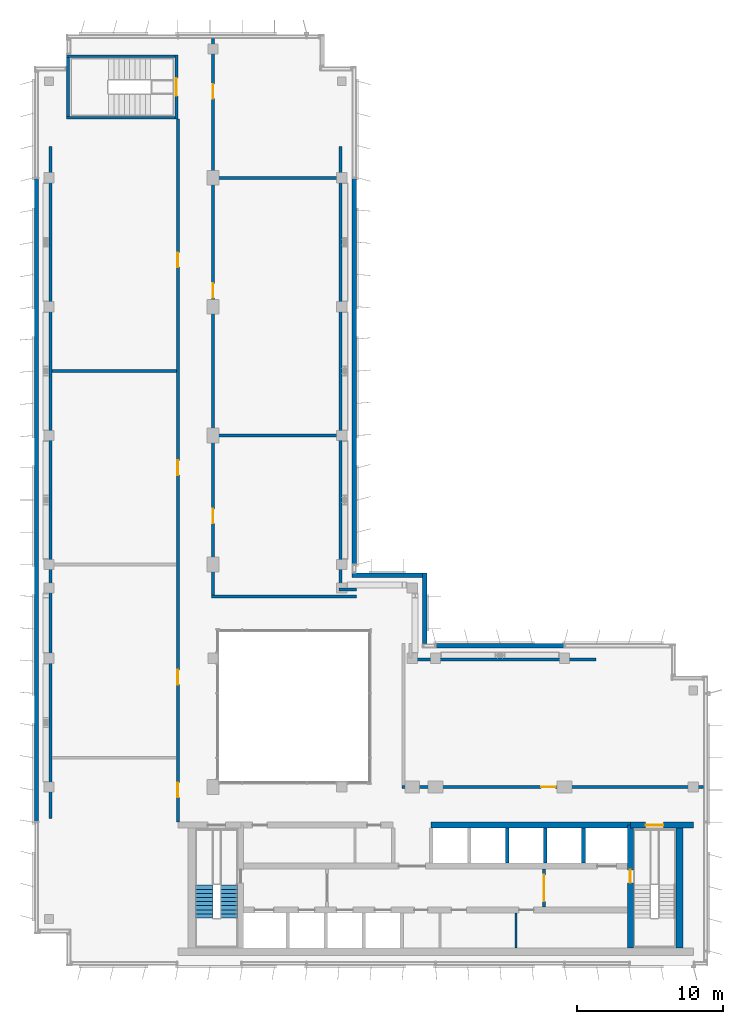
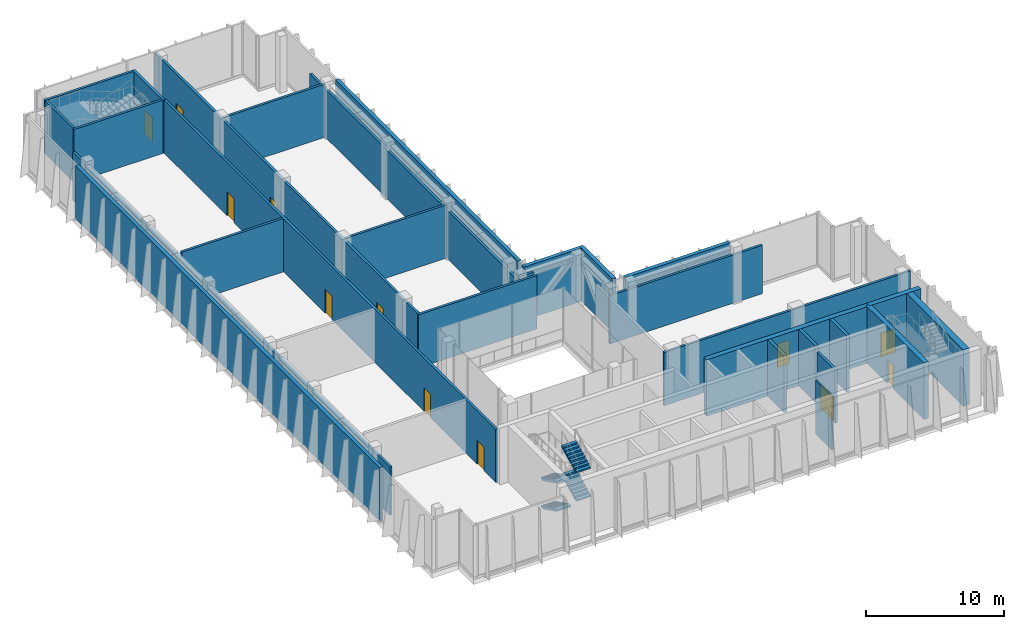
# One storey, part 9 of 14: 29 walls, 12 doors, 4 stair flights, 12 openings, 1 element without a shape of its own.
"""IFC4 building model written with IfcOpenShell, lengths in metres."""

from ifc_helpers import new_model, si_unit, direction, frame, frame_2d, origin, place, context, subcontext, project, spatial, polyline, rectangle, outline, extrude, material, layer, layer_set, type_object, element, fill, aggregate, save


model = new_model("IFC4")

# Units and contexts
model_context = context("Model", 3, precision=1e-05, world=origin(), true_north=direction((0.0, 1.0)))
body_context = subcontext(model_context, "Body", "Model", "MODEL_VIEW")
ifc_project = project(units=[si_unit("LENGTHUNIT", "METRE"), si_unit("AREAUNIT", "SQUARE_METRE"), si_unit("VOLUMEUNIT", "CUBIC_METRE"), si_unit("PLANEANGLEUNIT", "RADIAN"), si_unit("MASSUNIT", "GRAM", prefix="KILO")], contexts=[model_context])

# Site, building, storey
site_placement = place(None, origin())
site = spatial("IfcSite", under=ifc_project, at=site_placement, CompositionType="ELEMENT")
building_placement = place(site_placement, origin())
building = spatial("IfcBuilding", under=site, at=building_placement, Name="Kemantara Hotel Tower", CompositionType="ELEMENT")
storey_placement = place(building_placement, frame((0.0, 0.0, 309.199951171875)))
storey = spatial("IfcBuildingStorey", under=building, at=storey_placement, Name="L78", CompositionType="ELEMENT", Elevation=309.199951171875)

# Walls
ifc_material_1 = material(Name="Bronze anodised aluminium cladding on insulated steel stud wall", Category="steel")
ifc_layer_1 = layer(ifc_material_1, 0.300048828125)
ifc_layer_set_1 = layer_set([ifc_layer_1], Name="Bronze anodised aluminium cladding on insulated steel stud wall")
wall_type_1 = type_object("IfcWallType", Name="BRONZE METAL-CLAD EXTERNAL WALL 300", PredefinedType="STANDARD", material=ifc_layer_set_1)
wall_1_placement = place(storey_placement, frame((0.14990234375, 53.800048828125, 0.0), z_axis=(0.0, 0.0, 1.0), x_axis=(0.0, -1.0, 0.0)))
element("IfcWall", 1, at=wall_1_placement, inside=storey, type_object=wall_type_1, Name="EXTERNAL WALL L78 CRN-R05.S0", PredefinedType="STANDARD", context=body_context, shape_type="SweptSolid", body=[
    extrude(rectangle(XDim=44.0, YDim=0.300048828125, at=frame_2d((22.0, 0.0))), origin(), (0.0, 0.0, 1.0), 4.699951171875),
])
wall_2_placement = place(storey_placement, frame((36.199951171875, 21.85009765625, 0.0), z_axis=(0.0, 0.0, 1.0), x_axis=(-1.0, 0.0, 0.0)))
element("IfcWall", 2, at=wall_2_placement, inside=storey, type_object=wall_type_1, Name="EXTERNAL WALL L78 CRN-R12.S0", PredefinedType="STANDARD", context=body_context, shape_type="SweptSolid", body=[
    extrude(rectangle(XDim=8.800048828125, YDim=0.300048828125, at=frame_2d((4.39990234375, 0.0))), origin(), (0.0, 0.0, 1.0), 4.699951171875),
])
for number, where, z_axis, x_axis, name in (
    (3, (26.64990234375, 22.0, 0.0), (0.0, 0.0, 1.0), (0.0, 1.0, 0.0), "EXTERNAL WALL L78 CRN-R13.S0"),
    (4, (26.5, 26.64990234375, 0.0), (0.0, 0.0, 1.0), (-1.0, 0.0, 0.0), "EXTERNAL WALL L78 CRN-R14.S0"),
):
    element("IfcWall", number, at=place(storey_placement, frame(where, z_axis=z_axis, x_axis=x_axis)), inside=storey, type_object=wall_type_1, Name=name, PredefinedType="STANDARD", context=body_context, shape_type="SweptSolid", body=[
        extrude(rectangle(XDim=4.800048828125, YDim=0.300048828125, at=frame_2d((2.39990234375, 0.0))), origin(), (0.0, 0.0, 1.0), 4.699951171875),
    ])
wall_3_placement = place(storey_placement, frame((21.85009765625, 27.39990234375, 0.0), z_axis=(0.0, 0.0, 1.0), x_axis=(0.0, 1.0, 0.0)))
element("IfcWall", 5, at=wall_3_placement, inside=storey, type_object=wall_type_1, Name="EXTERNAL WALL L78 CRN-R15.S0", PredefinedType="STANDARD", context=body_context, shape_type="SweptSolid", body=[
    extrude(rectangle(XDim=26.400146484375, YDim=0.300048828125, at=frame_2d((13.2001953125, 0.0))), origin(), (0.0, 0.0, 1.0), 4.699951171875),
])
ifc_material_2 = material(Name="Concrete fc 50 MPa", Category="concrete")
ifc_layer_2 = layer(ifc_material_2, 0.25)
ifc_layer_set_2 = layer_set([ifc_layer_2], Name="Concrete fc 50 MPa")
wall_type_2 = type_object("IfcWallType", Name="CORE WALL 250 FC50", PredefinedType="SHEAR", material=ifc_layer_set_2)
for number, where, z_axis, x_axis, name in (
    (6, (32.300048828125, 7.0, 0.0), (0.0, 0.0, 1.0), (0.0, 1.0, 0.0), "CORE WALL CW-DN32.3"),
    (7, (34.89990234375, 7.0, 0.0), (0.0, 0.0, 1.0), (0.0, 1.0, 0.0), "CORE WALL CW-DN34.9"),
    (8, (37.5, 7.0, 0.0), (0.0, 0.0, 1.0), (0.0, 1.0, 0.0), "CORE WALL CW-DN37.5"),
):
    element("IfcWall", number, at=place(storey_placement, frame(where, z_axis=z_axis, x_axis=x_axis)), inside=storey, type_object=wall_type_2, Name=name, PredefinedType="SHEAR", context=body_context, shape_type="SweptSolid", body=[
        extrude(rectangle(XDim=2.39990234375, YDim=0.25, at=frame_2d((1.199951171875, 0.0))), origin(), (0.0, 0.0, 1.0), 5.0),
    ])

# Wall, opening, door
ifc_layer_3 = layer(ifc_material_2, 0.39990234375)
ifc_layer_set_3 = layer_set([ifc_layer_3], Name="Concrete fc 50 MPa")
wall_type_3 = type_object("IfcWallType", Name="CORE WALL 400 FC50", PredefinedType="SHEAR", material=ifc_layer_set_3)
wall_4_placement = place(storey_placement, frame((40.699951171875, 9.60009765625, 0.0), z_axis=(0.0, 0.0, 1.0), x_axis=(1.0, 0.0, 0.0)))
wall_4 = element("IfcWall", 9, at=wall_4_placement, inside=storey, type_object=wall_type_3, Name="CORE WALL CW-N2", PredefinedType="SHEAR", context=body_context, shape_type="SweptSolid", body=[
    extrude(rectangle(XDim=4.300048828125, YDim=0.39990234375, at=frame_2d((2.14990234375, 0.0))), origin(), (0.0, 0.0, 1.0), 5.0),
])
opening_1_placement = place(wall_4_placement, frame((1.050048828125, 0.0, 0.0)))
opening_1 = element("IfcOpeningElement", 10, at=opening_1_placement, cuts=wall_4, Name="Opening C44-ST2-C", PredefinedType="OPENING", context=body_context, shape_type="SweptSolid", body=[
    extrude(rectangle(XDim=1.199951171875, YDim=2.10009765625, at=frame_2d((0.60009765625, 1.050048828125))), frame((0.0, 0.2099609375, 0.0), z_axis=(0.0, -1.0, 0.0), x_axis=(1.0, 0.0, 0.0)), (0.0, 0.0, 1.0), 0.419921875),
])
ifc_material_3 = material(Name="Steel fire door", Category="steel")
door_type_1 = type_object("IfcDoorType", Name="Fire door FD90 1200 x 2100", OperationType="NOTDEFINED", PredefinedType="DOOR", material=ifc_material_3)
door_1_placement = place(opening_1_placement, frame((1.199951171875, 0.0, 0.0), z_axis=(0.0, 0.0, 1.0), x_axis=(-1.0, 0.0, 0.0)))
door_1 = element("IfcDoor", 11, at=door_1_placement, inside=storey, type_object=door_type_1, Name="Stair ST2 door to corridor", OperationType="SINGLE_SWING_RIGHT", OverallHeight=2.10009765625, OverallWidth=1.199951171875, PredefinedType="DOOR", context=body_context, shape_type="SweptSolid", body=[
    extrude(rectangle(XDim=1.199951171875, YDim=2.10009765625, at=frame_2d((0.60009765625, 1.050048828125))), frame((0.0, 0.02490234375, 0.0), z_axis=(0.0, -1.0, 0.0), x_axis=(1.0, 0.0, 0.0)), (0.0, 0.0, 1.0), 0.050048828125),
])
fill(opening_1, door_1)

# Wall
wall_5_placement = place(storey_placement, frame((27.10009765625, 9.60009765625, 0.0), z_axis=(0.0, 0.0, 1.0), x_axis=(1.0, 0.0, 0.0)))
element("IfcWall", 12, at=wall_5_placement, inside=storey, type_object=wall_type_3, Name="CORE WALL CW-NN2", PredefinedType="SHEAR", context=body_context, shape_type="SweptSolid", body=[
    extrude(rectangle(XDim=13.599853515625, YDim=0.39990234375, at=frame_2d((6.7998046875, 0.0))), origin(), (0.0, 0.0, 1.0), 5.0),
])

# Wall, opening, door
wall_6_placement = place(storey_placement, frame((40.699951171875, 1.199951171875, 0.0), z_axis=(0.0, 0.0, 1.0), x_axis=(0.0, 1.0, 0.0)))
wall_6 = element("IfcWall", 13, at=wall_6_placement, inside=storey, type_object=wall_type_3, Name="CORE WALL CW-ST2W", PredefinedType="SHEAR", context=body_context, shape_type="SweptSolid", body=[
    extrude(rectangle(XDim=8.400146484375, YDim=0.39990234375, at=frame_2d((4.2001953125, 0.0))), origin(), (0.0, 0.0, 1.0), 5.0),
])
opening_2_placement = place(wall_6_placement, frame((4.449951171875, 0.0, 0.0)))
opening_2 = element("IfcOpeningElement", 14, at=opening_2_placement, cuts=wall_6, Name="Opening C44-ST2-F", PredefinedType="OPENING", context=body_context, shape_type="SweptSolid", body=[
    extrude(rectangle(XDim=0.89990234375, YDim=2.10009765625, at=frame_2d((0.449951171875, 1.050048828125))), frame((0.0, 0.2099609375, 0.0), z_axis=(0.0, -1.0, 0.0), x_axis=(1.0, 0.0, 0.0)), (0.0, 0.0, 1.0), 0.419921875),
])
door_type_2 = type_object("IfcDoorType", Name="Fire door FD90 900 x 2100", OperationType="NOTDEFINED", PredefinedType="DOOR", material=ifc_material_3)
door_2_placement = place(opening_2_placement, frame((0.89990234375, 0.0, 0.0), z_axis=(0.0, 0.0, 1.0), x_axis=(-1.0, 0.0, 0.0)))
door_2 = element("IfcDoor", 15, at=door_2_placement, inside=storey, type_object=door_type_2, Name="Stair ST2 door to firefighting lobby", OperationType="SINGLE_SWING_LEFT", OverallHeight=2.10009765625, OverallWidth=0.89990234375, PredefinedType="DOOR", context=body_context, shape_type="SweptSolid", body=[
    extrude(rectangle(XDim=0.89990234375, YDim=2.10009765625, at=frame_2d((0.449951171875, 1.050048828125))), frame((0.0, 0.02490234375, 0.0), z_axis=(0.0, -1.0, 0.0), x_axis=(1.0, 0.0, 0.0)), (0.0, 0.0, 1.0), 0.050048828125),
])
fill(opening_2, door_2)

# Wall
ifc_layer_4 = layer(ifc_material_2, 0.5)
ifc_layer_set_4 = layer_set([ifc_layer_4], Name="Concrete fc 50 MPa")
wall_type_4 = type_object("IfcWallType", Name="CORE WALL 500 FC50", PredefinedType="SHEAR", material=ifc_layer_set_4)
wall_7_placement = place(storey_placement, frame((44.050048828125, 1.199951171875, 0.0), z_axis=(0.0, 0.0, 1.0), x_axis=(0.0, 1.0, 0.0)))
element("IfcWall", 16, at=wall_7_placement, inside=storey, type_object=wall_type_4, Name="CORE WALL CW-E", PredefinedType="SHEAR", context=body_context, shape_type="SweptSolid", body=[
    extrude(rectangle(XDim=8.60009765625, YDim=0.5, at=frame_2d((4.300048828125, 0.0))), origin(), (0.0, 0.0, 1.0), 5.0),
])

# Wall, opening, door
ifc_material_4 = material(Name="Concrete fc 40 MPa", Category="concrete")
ifc_layer_5 = layer(ifc_material_4, 0.199951171875)
ifc_layer_set_5 = layer_set([ifc_layer_5], Name="Concrete fc 40 MPa")
wall_type_5 = type_object("IfcWallType", Name="Concrete stair wall 200 mm", PredefinedType="SHEAR", material=ifc_layer_set_5)
wall_8_placement = place(storey_placement, frame((9.699951171875, 57.800048828125, 0.0), z_axis=(0.0, 0.0, 1.0), x_axis=(0.0, 1.0, 0.0)))
wall_8 = element("IfcWall", 17, at=wall_8_placement, inside=storey, type_object=wall_type_5, Name="Stair ST4 enclosure wall with door", PredefinedType="SHEAR", context=body_context, shape_type="SweptSolid", body=[
    extrude(rectangle(XDim=4.39990234375, YDim=0.199951171875, at=frame_2d((2.199951171875, 0.0))), origin(), (0.0, 0.0, 1.0), 4.699951171875),
])
opening_3_placement = place(wall_8_placement, frame((1.60009765625, 0.0, 0.0)))
opening_3 = element("IfcOpeningElement", 18, at=opening_3_placement, cuts=wall_8, Name="Opening ST4-C", PredefinedType="OPENING", context=body_context, shape_type="SweptSolid", body=[
    extrude(rectangle(XDim=1.199951171875, YDim=2.10009765625, at=frame_2d((0.60009765625, 1.050048828125))), frame((0.0, 0.10986328125, 0.0), z_axis=(0.0, -1.0, 0.0), x_axis=(1.0, 0.0, 0.0)), (0.0, 0.0, 1.0), 0.219970703125),
])
door_3_placement = place(opening_3_placement, origin())
door_3 = element("IfcDoor", 19, at=door_3_placement, inside=storey, type_object=door_type_1, Name="Stair ST4 door", OperationType="SINGLE_SWING_RIGHT", OverallHeight=2.10009765625, OverallWidth=1.199951171875, PredefinedType="DOOR", context=body_context, shape_type="SweptSolid", body=[
    extrude(rectangle(XDim=1.199951171875, YDim=2.10009765625, at=frame_2d((0.60009765625, 1.050048828125))), frame((0.0, 0.02490234375, 0.0), z_axis=(0.0, -1.0, 0.0), x_axis=(1.0, 0.0, 0.0)), (0.0, 0.0, 1.0), 0.050048828125),
])
fill(opening_3, door_3)

# Walls
for number, where, z_axis, x_axis, name in (
    (20, (2.199951171875, 62.10009765625, 0.0), (0.0, 0.0, 1.0), (1.0, 0.0, 0.0), "Stair ST4 enclosure wall N"),
    (21, (2.199951171875, 57.89990234375, 0.0), (0.0, 0.0, 1.0), (1.0, 0.0, 0.0), "Stair ST4 enclosure wall S"),
):
    element("IfcWall", number, at=place(storey_placement, frame(where, z_axis=z_axis, x_axis=x_axis)), inside=storey, type_object=wall_type_5, Name=name, PredefinedType="SHEAR", context=body_context, shape_type="SweptSolid", body=[
        extrude(rectangle(XDim=7.400146484375, YDim=0.199951171875, at=frame_2d((3.7001953125, 0.0))), origin(), (0.0, 0.0, 1.0), 4.699951171875),
    ])
wall_9_placement = place(storey_placement, frame((2.300048828125, 58.0, 0.0), z_axis=(0.0, 0.0, 1.0), x_axis=(0.0, 1.0, 0.0)))
element("IfcWall", 22, at=wall_9_placement, inside=storey, type_object=wall_type_5, Name="Stair ST4 enclosure wall W", PredefinedType="SHEAR", context=body_context, shape_type="SweptSolid", body=[
    extrude(rectangle(XDim=4.0, YDim=0.199951171875, at=frame_2d((2.0, 0.0))), origin(), (0.0, 0.0, 1.0), 4.699951171875),
])
ifc_material_5 = material(Name="Clay brick masonry", Category="masonry")
ifc_layer_6 = layer(ifc_material_5, 0.199951171875)
ifc_layer_set_6 = layer_set([ifc_layer_6], Name="Clay brick masonry")
wall_type_6 = type_object("IfcWallType", Name="FIRE-RATED CLAY BRICK WALL 200 EI 120", PredefinedType="PARTITIONING", material=ifc_layer_set_6)
for number, where, z_axis, x_axis, name in (
    (23, (12.300048828125, 36.199951171875, 0.0), (0.0, 0.0, 1.0), (1.0, 0.0, 0.0), "FIRE WALL"),
    (24, (12.300048828125, 53.800048828125, 0.0), (0.0, 0.0, 1.0), (1.0, 0.0, 0.0), "FIRE WALL"),
    (25, (1.199951171875, 40.60009765625, 0.0), (0.0, 0.0, 1.0), (1.0, 0.0, 0.0), "FIRE WALL"),
):
    element("IfcWall", number, at=place(storey_placement, frame(where, z_axis=z_axis, x_axis=x_axis)), inside=storey, type_object=wall_type_6, Name=name, PredefinedType="PARTITIONING", context=body_context, shape_type="SweptSolid", body=[
        extrude(rectangle(XDim=8.5, YDim=0.199951171875, at=frame_2d((4.25, 0.0))), origin(), (0.0, 0.0, 1.0), 4.699951171875),
    ])
wall_10_placement = place(storey_placement, frame((25.60009765625, 20.89990234375, 0.0), z_axis=(0.0, 0.0, 1.0), x_axis=(1.0, 0.0, 0.0)))
element("IfcWall", 26, at=wall_10_placement, inside=storey, type_object=wall_type_6, Name="FIRE WALL", PredefinedType="PARTITIONING", context=body_context, shape_type="SweptSolid", body=[
    extrude(rectangle(XDim=12.745361328125, YDim=0.199951171875, at=frame_2d((6.37255859375, 0.0))), origin(), (0.0, 0.0, 1.0), 4.26611328125),
])
wall_11_placement = place(storey_placement, frame((20.800048828125, 25.699951171875, 0.0), z_axis=(0.0, 0.0, 1.0), x_axis=(1.0, 0.0, 0.0)))
element("IfcWall", 27, at=wall_11_placement, inside=storey, type_object=wall_type_6, Name="FIRE WALL", PredefinedType="PARTITIONING", context=body_context, shape_type="SweptSolid", body=[
    extrude(rectangle(XDim=1.199951171875, YDim=0.199951171875, at=frame_2d((0.60009765625, 0.0))), origin(), (0.0, 0.0, 1.0), 4.699951171875),
])
wall_12_placement = place(storey_placement, frame((20.89990234375, 25.800048828125, 0.0), z_axis=(0.0, 0.0, 1.0), x_axis=(0.0, 1.0, 0.0)))
element("IfcWall", 28, at=wall_12_placement, inside=storey, type_object=wall_type_6, Name="FIRE WALL", PredefinedType="PARTITIONING", context=body_context, shape_type="SweptSolid", body=[
    extrude(rectangle(XDim=30.145263671875, YDim=0.199951171875, at=frame_2d((15.07275390625, 0.0))), origin(), (0.0, 0.0, 1.0), 4.26611328125),
])
wall_13_placement = place(storey_placement, frame((1.10009765625, 10.0546875, 0.0), z_axis=(0.0, 0.0, 1.0), x_axis=(0.0, 1.0, 0.0)))
element("IfcWall", 29, at=wall_13_placement, inside=storey, type_object=wall_type_6, Name="FIRE WALL", PredefinedType="PARTITIONING", context=body_context, shape_type="SweptSolid", body=[
    extrude(rectangle(XDim=45.890625, YDim=0.199951171875, at=frame_2d((22.9453125, 0.0))), origin(), (0.0, 0.0, 1.0), 4.26611328125),
])
ifc_material_6 = material(Name="Fire-rated gypsum board partition")
ifc_layer_7 = layer(ifc_material_6, 0.199951171875)
ifc_layer_set_7 = layer_set([ifc_layer_7], Name="Fire-rated gypsum board partition")
wall_type_7 = type_object("IfcWallType", Name="FIRE-RATED GYPSUM PARTITION 200 EI 60", PredefinedType="PARTITIONING", material=ifc_layer_set_7)
wall_14_placement = place(storey_placement, frame((12.10009765625, 25.199951171875, 0.0), z_axis=(0.0, 0.0, 1.0), x_axis=(1.0, 0.0, 0.0)))
element("IfcWall", 30, at=wall_14_placement, inside=storey, type_object=wall_type_7, Name="FIRE-RATED PARTITION", PredefinedType="PARTITIONING", context=body_context, shape_type="SweptSolid", body=[
    extrude(rectangle(XDim=9.89990234375, YDim=0.199951171875, at=frame_2d((4.949951171875, 0.0))), origin(), (0.0, 0.0, 1.0), 4.699951171875),
])

# Wall, opening, door
wall_15_placement = place(storey_placement, frame((25.10009765625, 12.199951171875, 0.0), z_axis=(0.0, 0.0, 1.0), x_axis=(1.0, 0.0, 0.0)))
wall_15 = element("IfcWall", 31, at=wall_15_placement, inside=storey, type_object=wall_type_7, Name="FIRE-RATED PARTITION", PredefinedType="PARTITIONING", context=body_context, shape_type="SweptSolid", body=[
    extrude(rectangle(XDim=20.599853515625, YDim=0.199951171875, at=frame_2d((10.2998046875, 0.0))), origin(), (0.0, 0.0, 1.0), 4.699951171875),
])
opening_4_placement = place(wall_15_placement, frame((9.5, 0.0, 0.0)))
opening_4 = element("IfcOpeningElement", 32, at=opening_4_placement, cuts=wall_15, Name="Opening L78-B001", PredefinedType="OPENING", context=body_context, shape_type="SweptSolid", body=[
    extrude(rectangle(XDim=1.0, YDim=2.10009765625, at=frame_2d((0.5, 1.050048828125))), frame((0.0, 0.10986328125, 0.0), z_axis=(0.0, -1.0, 0.0), x_axis=(1.0, 0.0, 0.0)), (0.0, 0.0, 1.0), 0.219970703125),
])
ifc_material_7 = material(Name="Galvanised steel door leaf", Category="steel")
door_type_3 = type_object("IfcDoorType", Name="FIRE-RATED STEEL DOOR 1000 X 2100", OperationType="SINGLE_SWING_LEFT", PredefinedType="DOOR", material=ifc_material_7)
door_4_placement = place(opening_4_placement, frame((1.0, 0.0, 0.0), z_axis=(0.0, 0.0, 1.0), x_axis=(-1.0, 0.0, 0.0)))
door_4 = element("IfcDoor", 33, at=door_4_placement, inside=storey, type_object=door_type_3, Name="FIRE-RATED STEEL DOOR", OperationType="SINGLE_SWING_RIGHT", OverallHeight=2.10009765625, OverallWidth=1.0, PredefinedType="DOOR", context=body_context, shape_type="SweptSolid", body=[
    extrude(rectangle(XDim=1.0, YDim=2.10009765625, at=frame_2d((0.5, 1.050048828125))), frame((0.0, 0.02490234375, 0.0), z_axis=(0.0, -1.0, 0.0), x_axis=(1.0, 0.0, 0.0)), (0.0, 0.0, 1.0), 0.050048828125),
])
fill(opening_4, door_4)

# Wall, openings, doors
wall_16_placement = place(storey_placement, frame((9.800048828125, 9.800048828125, 0.0), z_axis=(0.0, 0.0, 1.0), x_axis=(0.0, 1.0, 0.0)))
wall_16 = element("IfcWall", 34, at=wall_16_placement, inside=storey, type_object=wall_type_7, Name="FIRE-RATED PARTITION", PredefinedType="PARTITIONING", context=body_context, shape_type="SweptSolid", body=[
    extrude(rectangle(XDim=48.0, YDim=0.199951171875, at=frame_2d((24.0, 0.0))), origin(), (0.0, 0.0, 1.0), 4.699951171875),
])
opening_5_placement = place(wall_16_placement, frame((1.699951171875, 0.0, 0.0)))
opening_5 = element("IfcOpeningElement", 35, at=opening_5_placement, cuts=wall_16, Name="Opening L78-B005", PredefinedType="OPENING", context=body_context, shape_type="SweptSolid", body=[
    extrude(rectangle(XDim=1.0, YDim=2.10009765625, at=frame_2d((0.5, 1.050048828125))), frame((0.0, 0.10986328125, 0.0), z_axis=(0.0, -1.0, 0.0), x_axis=(1.0, 0.0, 0.0)), (0.0, 0.0, 1.0), 0.219970703125),
])
opening_6_placement = place(wall_16_placement, frame((9.39990234375, 0.0, 0.0)))
opening_6 = element("IfcOpeningElement", 36, at=opening_6_placement, cuts=wall_16, Name="Opening L78-B006", PredefinedType="OPENING", context=body_context, shape_type="SweptSolid", body=[
    extrude(rectangle(XDim=1.0, YDim=2.10009765625, at=frame_2d((0.5, 1.050048828125))), frame((0.0, 0.10986328125, 0.0), z_axis=(0.0, -1.0, 0.0), x_axis=(1.0, 0.0, 0.0)), (0.0, 0.0, 1.0), 0.219970703125),
])
opening_7_placement = place(wall_16_placement, frame((23.699951171875, 0.0, 0.0)))
opening_7 = element("IfcOpeningElement", 37, at=opening_7_placement, cuts=wall_16, Name="Opening L78-B007", PredefinedType="OPENING", context=body_context, shape_type="SweptSolid", body=[
    extrude(rectangle(XDim=1.0, YDim=2.10009765625, at=frame_2d((0.5, 1.050048828125))), frame((0.0, 0.10986328125, 0.0), z_axis=(0.0, -1.0, 0.0), x_axis=(1.0, 0.0, 0.0)), (0.0, 0.0, 1.0), 0.219970703125),
])
opening_8_placement = place(wall_16_placement, frame((37.89990234375, 0.0, 0.0)))
opening_8 = element("IfcOpeningElement", 38, at=opening_8_placement, cuts=wall_16, Name="Opening L78-B008", PredefinedType="OPENING", context=body_context, shape_type="SweptSolid", body=[
    extrude(rectangle(XDim=1.0, YDim=2.10009765625, at=frame_2d((0.5, 1.050048828125))), frame((0.0, 0.10986328125, 0.0), z_axis=(0.0, -1.0, 0.0), x_axis=(1.0, 0.0, 0.0)), (0.0, 0.0, 1.0), 0.219970703125),
])
door_5_placement = place(opening_5_placement, frame((1.0, 0.0, 0.0), z_axis=(0.0, 0.0, 1.0), x_axis=(-1.0, 0.0, 0.0)))
door_5 = element("IfcDoor", 39, at=door_5_placement, inside=storey, type_object=door_type_3, Name="FIRE-RATED STEEL DOOR", OperationType="SINGLE_SWING_RIGHT", OverallHeight=2.10009765625, OverallWidth=1.0, PredefinedType="DOOR", context=body_context, shape_type="SweptSolid", body=[
    extrude(rectangle(XDim=1.0, YDim=2.10009765625, at=frame_2d((0.5, 1.050048828125))), frame((0.0, 0.02490234375, 0.0), z_axis=(0.0, -1.0, 0.0), x_axis=(1.0, 0.0, 0.0)), (0.0, 0.0, 1.0), 0.050048828125),
])
fill(opening_5, door_5)
door_6_placement = place(opening_6_placement, frame((1.0, 0.0, 0.0), z_axis=(0.0, 0.0, 1.0), x_axis=(-1.0, 0.0, 0.0)))
door_6 = element("IfcDoor", 40, at=door_6_placement, inside=storey, type_object=door_type_3, Name="FIRE-RATED STEEL DOOR", OperationType="SINGLE_SWING_RIGHT", OverallHeight=2.10009765625, OverallWidth=1.0, PredefinedType="DOOR", context=body_context, shape_type="SweptSolid", body=[
    extrude(rectangle(XDim=1.0, YDim=2.10009765625, at=frame_2d((0.5, 1.050048828125))), frame((0.0, 0.02490234375, 0.0), z_axis=(0.0, -1.0, 0.0), x_axis=(1.0, 0.0, 0.0)), (0.0, 0.0, 1.0), 0.050048828125),
])
fill(opening_6, door_6)
door_7_placement = place(opening_7_placement, frame((1.0, 0.0, 0.0), z_axis=(0.0, 0.0, 1.0), x_axis=(-1.0, 0.0, 0.0)))
door_7 = element("IfcDoor", 41, at=door_7_placement, inside=storey, type_object=door_type_3, Name="FIRE-RATED STEEL DOOR", OperationType="SINGLE_SWING_LEFT", OverallHeight=2.10009765625, OverallWidth=1.0, PredefinedType="DOOR", context=body_context, shape_type="SweptSolid", body=[
    extrude(rectangle(XDim=1.0, YDim=2.10009765625, at=frame_2d((0.5, 1.050048828125))), frame((0.0, 0.02490234375, 0.0), z_axis=(0.0, -1.0, 0.0), x_axis=(1.0, 0.0, 0.0)), (0.0, 0.0, 1.0), 0.050048828125),
])
fill(opening_7, door_7)
door_8_placement = place(opening_8_placement, frame((1.0, 0.0, 0.0), z_axis=(0.0, 0.0, 1.0), x_axis=(-1.0, 0.0, 0.0)))
door_8 = element("IfcDoor", 42, at=door_8_placement, inside=storey, type_object=door_type_3, Name="FIRE-RATED STEEL DOOR", OperationType="SINGLE_SWING_LEFT", OverallHeight=2.10009765625, OverallWidth=1.0, PredefinedType="DOOR", context=body_context, shape_type="SweptSolid", body=[
    extrude(rectangle(XDim=1.0, YDim=2.10009765625, at=frame_2d((0.5, 1.050048828125))), frame((0.0, 0.02490234375, 0.0), z_axis=(0.0, -1.0, 0.0), x_axis=(1.0, 0.0, 0.0)), (0.0, 0.0, 1.0), 0.050048828125),
])
fill(opening_8, door_8)

wall_17_placement = place(storey_placement, frame((12.199951171875, 25.300048828125, 0.0), z_axis=(0.0, 0.0, 1.0), x_axis=(0.0, 1.0, 0.0)))
wall_17 = element("IfcWall", 43, at=wall_17_placement, inside=storey, type_object=wall_type_7, Name="FIRE-RATED PARTITION", PredefinedType="PARTITIONING", context=body_context, shape_type="SweptSolid", body=[
    extrude(rectangle(XDim=38.0, YDim=0.199951171875, at=frame_2d((19.0, 0.0))), origin(), (0.0, 0.0, 1.0), 4.699951171875),
])
opening_9_placement = place(wall_17_placement, frame((4.89990234375, 0.0, 0.0)))
opening_9 = element("IfcOpeningElement", 44, at=opening_9_placement, cuts=wall_17, Name="Opening L78-B002", PredefinedType="OPENING", context=body_context, shape_type="SweptSolid", body=[
    extrude(rectangle(XDim=1.0, YDim=2.10009765625, at=frame_2d((0.5, 1.050048828125))), frame((0.0, 0.10986328125, 0.0), z_axis=(0.0, -1.0, 0.0), x_axis=(1.0, 0.0, 0.0)), (0.0, 0.0, 1.0), 0.219970703125),
])
opening_10_placement = place(wall_17_placement, frame((20.300048828125, 0.0, 0.0)))
opening_10 = element("IfcOpeningElement", 45, at=opening_10_placement, cuts=wall_17, Name="Opening L78-B003", PredefinedType="OPENING", context=body_context, shape_type="SweptSolid", body=[
    extrude(rectangle(XDim=1.0, YDim=2.10009765625, at=frame_2d((0.5, 1.050048828125))), frame((0.0, 0.10986328125, 0.0), z_axis=(0.0, -1.0, 0.0), x_axis=(1.0, 0.0, 0.0)), (0.0, 0.0, 1.0), 0.219970703125),
])
opening_11_placement = place(wall_17_placement, frame((33.89990234375, 0.0, 0.0)))
opening_11 = element("IfcOpeningElement", 46, at=opening_11_placement, cuts=wall_17, Name="Opening L78-B004", PredefinedType="OPENING", context=body_context, shape_type="SweptSolid", body=[
    extrude(rectangle(XDim=1.0, YDim=2.10009765625, at=frame_2d((0.5, 1.050048828125))), frame((0.0, 0.10986328125, 0.0), z_axis=(0.0, -1.0, 0.0), x_axis=(1.0, 0.0, 0.0)), (0.0, 0.0, 1.0), 0.219970703125),
])
door_9_placement = place(opening_9_placement, origin())
door_9 = element("IfcDoor", 47, at=door_9_placement, inside=storey, type_object=door_type_3, Name="FIRE-RATED STEEL DOOR", OperationType="SINGLE_SWING_LEFT", OverallHeight=2.10009765625, OverallWidth=1.0, PredefinedType="DOOR", context=body_context, shape_type="SweptSolid", body=[
    extrude(rectangle(XDim=1.0, YDim=2.10009765625, at=frame_2d((0.5, 1.050048828125))), frame((0.0, 0.02490234375, 0.0), z_axis=(0.0, -1.0, 0.0), x_axis=(1.0, 0.0, 0.0)), (0.0, 0.0, 1.0), 0.050048828125),
])
fill(opening_9, door_9)
door_10_placement = place(opening_10_placement, origin())
door_10 = element("IfcDoor", 48, at=door_10_placement, inside=storey, type_object=door_type_3, Name="FIRE-RATED STEEL DOOR", OperationType="SINGLE_SWING_RIGHT", OverallHeight=2.10009765625, OverallWidth=1.0, PredefinedType="DOOR", context=body_context, shape_type="SweptSolid", body=[
    extrude(rectangle(XDim=1.0, YDim=2.10009765625, at=frame_2d((0.5, 1.050048828125))), frame((0.0, 0.02490234375, 0.0), z_axis=(0.0, -1.0, 0.0), x_axis=(1.0, 0.0, 0.0)), (0.0, 0.0, 1.0), 0.050048828125),
])
fill(opening_10, door_10)
door_11_placement = place(opening_11_placement, origin())
door_11 = element("IfcDoor", 49, at=door_11_placement, inside=storey, type_object=door_type_3, Name="FIRE-RATED STEEL DOOR", OperationType="SINGLE_SWING_RIGHT", OverallHeight=2.10009765625, OverallWidth=1.0, PredefinedType="DOOR", context=body_context, shape_type="SweptSolid", body=[
    extrude(rectangle(XDim=1.0, YDim=2.10009765625, at=frame_2d((0.5, 1.050048828125))), frame((0.0, 0.02490234375, 0.0), z_axis=(0.0, -1.0, 0.0), x_axis=(1.0, 0.0, 0.0)), (0.0, 0.0, 1.0), 0.050048828125),
])
fill(opening_11, door_11)

# Wall
ifc_material_8 = material(Name="Gypsum board partition")
ifc_layer_8 = layer(ifc_material_8, 0.14990234375)
ifc_layer_set_8 = layer_set([ifc_layer_8], Name="Gypsum board partition")
wall_type_8 = type_object("IfcWallType", Name="Gypsum board partition 150 mm", PredefinedType="PARTITIONING", material=ifc_layer_set_8)
wall_18_placement = place(storey_placement, frame((32.89990234375, 1.199951171875, 0.0), z_axis=(0.0, 0.0, 1.0), x_axis=(0.0, 1.0, 0.0)))
element("IfcWall", 50, at=wall_18_placement, inside=storey, type_object=wall_type_8, Name="Core room partition", PredefinedType="PARTITIONING", context=body_context, shape_type="SweptSolid", body=[
    extrude(rectangle(XDim=2.400146484375, YDim=0.14990234375, at=frame_2d((1.2001953125, 0.0))), origin(), (0.0, 0.0, 1.0), 4.699951171875),
])

# Wall, opening, door
ifc_material_9 = material(Name="Gypsum board shaft wall")
ifc_layer_9 = layer(ifc_material_9, 0.199951171875)
ifc_layer_set_9 = layer_set([ifc_layer_9], Name="Gypsum board shaft wall")
wall_type_9 = type_object("IfcWallType", Name="Gypsum board shaft wall 200 mm", PredefinedType="PARTITIONING", material=ifc_layer_set_9)
wall_19_placement = place(storey_placement, frame((34.800048828125, 4.0, 0.0), z_axis=(0.0, 0.0, 1.0), x_axis=(0.0, 1.0, 0.0)))
wall_19 = element("IfcWall", 51, at=wall_19_placement, inside=storey, type_object=wall_type_9, Name="Firefighting lobby partition east", PredefinedType="PARTITIONING", context=body_context, shape_type="SweptSolid", body=[
    extrude(rectangle(XDim=2.60009765625, YDim=0.199951171875, at=frame_2d((1.300048828125, 0.0))), origin(), (0.0, 0.0, 1.0), 4.699951171875),
])
opening_12_placement = place(wall_19_placement, frame((0.39990234375, 0.0, 0.0)))
opening_12 = element("IfcOpeningElement", 52, at=opening_12_placement, cuts=wall_19, Name="Opening C44-FFE", PredefinedType="OPENING", context=body_context, shape_type="SweptSolid", body=[
    extrude(rectangle(XDim=1.800048828125, YDim=2.10009765625, at=frame_2d((0.89990234375, 1.050048828125))), frame((0.0, 0.10986328125, 0.0), z_axis=(0.0, -1.0, 0.0), x_axis=(1.0, 0.0, 0.0)), (0.0, 0.0, 1.0), 0.219970703125),
])
door_type_4 = type_object("IfcDoorType", Name="Fire door pair FD60 1800 x 2100", OperationType="DOUBLE_DOOR_SINGLE_SWING", PredefinedType="DOOR", material=ifc_material_3)
door_12_placement = place(opening_12_placement, frame((1.800048828125, 0.0, 0.0), z_axis=(0.0, 0.0, 1.0), x_axis=(-1.0, 0.0, 0.0)))
door_12 = element("IfcDoor", 53, at=door_12_placement, inside=storey, type_object=door_type_4, Name="Firefighting lobby door east", OperationType="DOUBLE_DOOR_SINGLE_SWING", OverallHeight=2.10009765625, OverallWidth=1.800048828125, PredefinedType="DOOR", context=body_context, shape_type="SweptSolid", body=[
    extrude(rectangle(XDim=1.800048828125, YDim=2.10009765625, at=frame_2d((0.89990234375, 1.050048828125))), frame((0.0, 0.02490234375, 0.0), z_axis=(0.0, -1.0, 0.0), x_axis=(1.0, 0.0, 0.0)), (0.0, 0.0, 1.0), 0.050048828125),
])
fill(opening_12, door_12)

# Stair, stair flights
stair_type = type_object("IfcStairType", Name="Stair 1200 wide 36 risers of 139 x 280 mm", PredefinedType="HALF_TURN_STAIR", material=ifc_material_4)
stair_placement = place(storey_placement, origin())
stair = element("IfcStair", 54, at=stair_placement, inside=storey, type_object=stair_type, Name="L78 Exit stair ST1", PredefinedType="HALF_TURN_STAIR")
stair_flight_type = type_object("IfcStairFlightType", Name="Stair flight 1200 wide 139 x 280 mm", PredefinedType="STRAIGHT", material=ifc_material_4)
stair_flight_1_placement = place(storey_placement, frame((11.60009765625, 5.5, 0.0), z_axis=(0.0, 0.0, 1.0), x_axis=(0.0, -1.0, 0.0)))
stair_flight_1 = element("IfcStairFlight", 55, at=stair_flight_1_placement, type_object=stair_flight_type, Name="ST1 flight 1", NumberOfRisers=9, NumberOfTreads=8, PredefinedType="STRAIGHT", RiserHeight=0.138888889, TreadLength=0.28, context=body_context, shape_type="SweptSolid", body=[
    extrude(outline(polyline([(0.0, 0.0), (0.0, 0.138916015625), (0.280029296875, 0.138916015625), (0.280029296875, 0.27783203125), (0.56005859375, 0.27783203125), (0.56005859375, 0.416748046875), (0.840087890625, 0.416748046875), (0.840087890625, 0.5556640625), (1.1201171875, 0.5556640625), (1.1201171875, 0.6943359375), (1.39990234375, 0.6943359375), (1.39990234375, 0.833251953125), (1.679931640625, 0.833251953125), (1.679931640625, 0.97216796875), (1.9599609375, 0.97216796875), (1.9599609375, 1.111083984375), (2.239990234375, 1.111083984375), (2.239990234375, 1.25), (2.239990234375, 0.94384765625), (0.33740234375, 0.0), (0.0, 0.0)])), frame((0.0, 0.60009765625, 0.0), z_axis=(0.0, -1.0, 0.0), x_axis=(1.0, 0.0, 0.0)), (0.0, 0.0, 1.0), 1.199951171875),
])
stair_flight_2_placement = place(storey_placement, frame((13.300048828125, 3.260009765625, 1.25), z_axis=(0.0, 0.0, 1.0), x_axis=(0.0, 1.0, 0.0)))
stair_flight_2 = element("IfcStairFlight", 56, at=stair_flight_2_placement, type_object=stair_flight_type, Name="ST1 flight 2", NumberOfRisers=9, NumberOfTreads=8, PredefinedType="STRAIGHT", RiserHeight=0.138888889, TreadLength=0.28, context=body_context, shape_type="SweptSolid", body=[
    extrude(outline(polyline([(0.0, 0.0), (0.0, 0.138916015625), (0.280029296875, 0.138916015625), (0.280029296875, 0.27783203125), (0.56005859375, 0.27783203125), (0.56005859375, 0.416748046875), (0.840087890625, 0.416748046875), (0.840087890625, 0.5556640625), (1.1201171875, 0.5556640625), (1.1201171875, 0.6943359375), (1.39990234375, 0.6943359375), (1.39990234375, 0.833251953125), (1.679931640625, 0.833251953125), (1.679931640625, 0.97216796875), (1.9599609375, 0.97216796875), (1.9599609375, 1.111083984375), (2.239990234375, 1.111083984375), (2.239990234375, 1.25), (2.239990234375, 0.94384765625), (0.33740234375, 0.0), (0.0, 0.0)])), frame((0.0, 0.60009765625, 0.0), z_axis=(0.0, -1.0, 0.0), x_axis=(1.0, 0.0, 0.0)), (0.0, 0.0, 1.0), 1.199951171875),
])
stair_flight_3_placement = place(storey_placement, frame((11.60009765625, 5.5, 2.5), z_axis=(0.0, 0.0, 1.0), x_axis=(0.0, -1.0, 0.0)))
stair_flight_3 = element("IfcStairFlight", 57, at=stair_flight_3_placement, type_object=stair_flight_type, Name="ST1 flight 3", NumberOfRisers=9, NumberOfTreads=8, PredefinedType="STRAIGHT", RiserHeight=0.138888889, TreadLength=0.28, context=body_context, shape_type="SweptSolid", body=[
    extrude(outline(polyline([(0.0, 0.0), (0.0, 0.138916015625), (0.280029296875, 0.138916015625), (0.280029296875, 0.27783203125), (0.56005859375, 0.27783203125), (0.56005859375, 0.416748046875), (0.840087890625, 0.416748046875), (0.840087890625, 0.5556640625), (1.1201171875, 0.5556640625), (1.1201171875, 0.6943359375), (1.39990234375, 0.6943359375), (1.39990234375, 0.833251953125), (1.679931640625, 0.833251953125), (1.679931640625, 0.97216796875), (1.9599609375, 0.97216796875), (1.9599609375, 1.111083984375), (2.239990234375, 1.111083984375), (2.239990234375, 1.25), (2.239990234375, 0.94384765625), (0.33740234375, 0.0), (0.0, 0.0)])), frame((0.0, 0.60009765625, 0.0), z_axis=(0.0, -1.0, 0.0), x_axis=(1.0, 0.0, 0.0)), (0.0, 0.0, 1.0), 1.199951171875),
])
stair_flight_4_placement = place(storey_placement, frame((13.300048828125, 3.260009765625, 3.75), z_axis=(0.0, 0.0, 1.0), x_axis=(0.0, 1.0, 0.0)))
stair_flight_4 = element("IfcStairFlight", 58, at=stair_flight_4_placement, type_object=stair_flight_type, Name="ST1 flight 4", NumberOfRisers=9, NumberOfTreads=8, PredefinedType="STRAIGHT", RiserHeight=0.138888889, TreadLength=0.28, context=body_context, shape_type="SweptSolid", body=[
    extrude(outline(polyline([(0.0, 0.0), (0.0, 0.138916015625), (0.280029296875, 0.138916015625), (0.280029296875, 0.27783203125), (0.56005859375, 0.27783203125), (0.56005859375, 0.416748046875), (0.840087890625, 0.416748046875), (0.840087890625, 0.5556640625), (1.1201171875, 0.5556640625), (1.1201171875, 0.6943359375), (1.39990234375, 0.6943359375), (1.39990234375, 0.833251953125), (1.679931640625, 0.833251953125), (1.679931640625, 0.97216796875), (1.9599609375, 0.97216796875), (1.9599609375, 1.111083984375), (2.239990234375, 1.111083984375), (2.239990234375, 1.25), (2.239990234375, 0.94384765625), (0.33740234375, 0.0), (0.0, 0.0)])), frame((0.0, 0.60009765625, 0.0), z_axis=(0.0, -1.0, 0.0), x_axis=(1.0, 0.0, 0.0)), (0.0, 0.0, 1.0), 1.199951171875),
])
aggregate(stair, [stair_flight_1, stair_flight_2, stair_flight_3, stair_flight_4])

save(model, "model.ifc")
